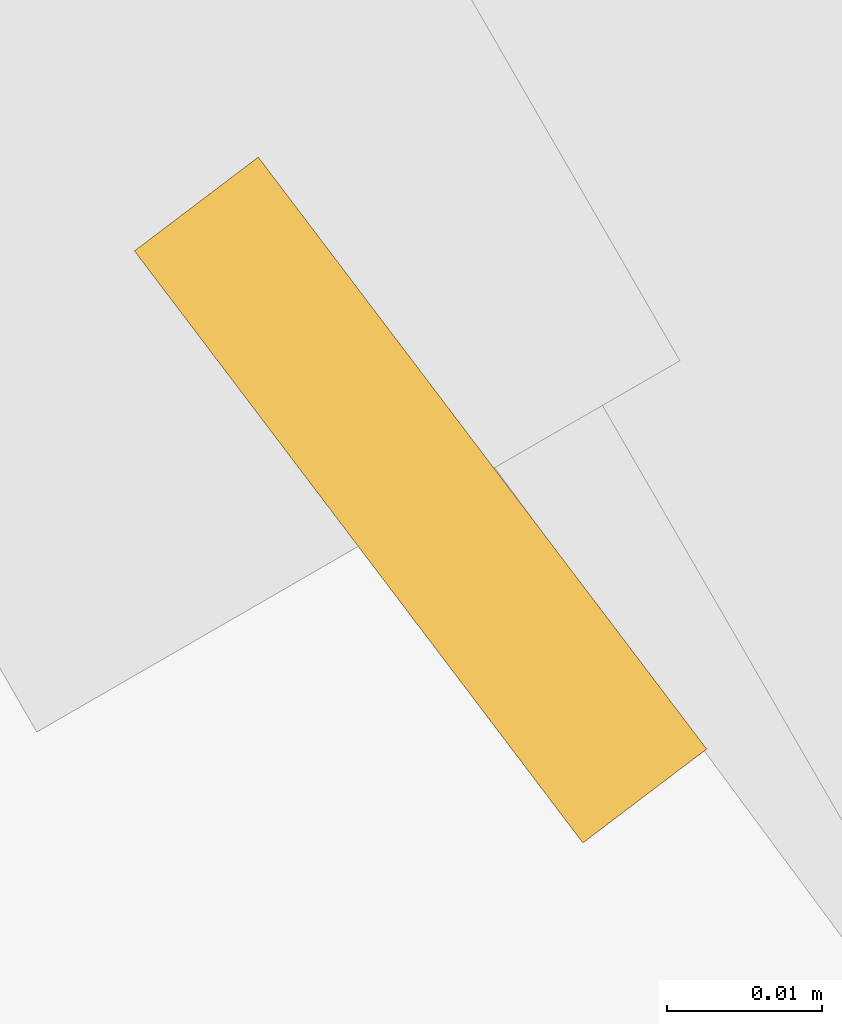
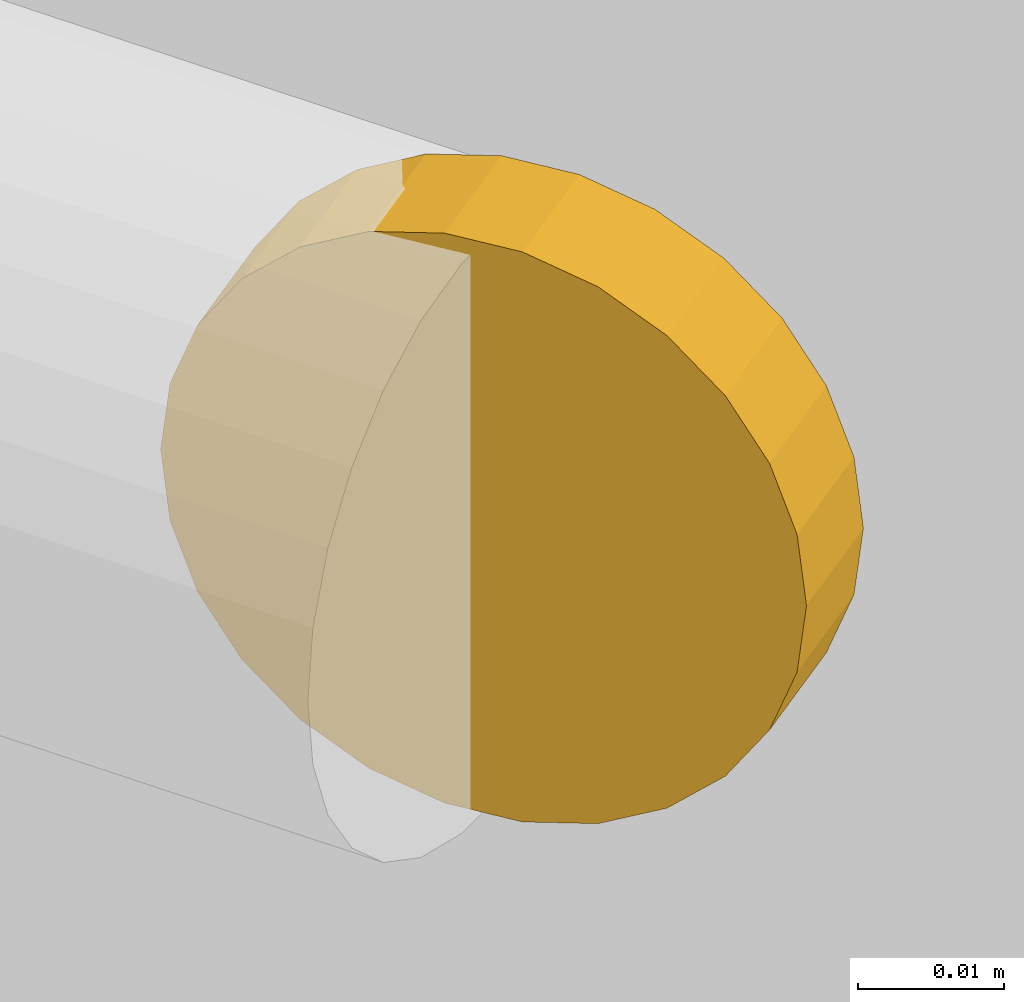
# One storey, part 30 of 32: 1 railing.
"""IFC4 building model written with IfcOpenShell, lengths in metres."""

from ifc_helpers import new_model, si_unit, direction, frame, origin, origin_2d, place, context, subcontext, project, spatial, circle, extrude, material, type_object, element, save


model = new_model("IFC4")

# Units and contexts
model_context = context("Model", 3, precision=1e-05, world=origin(), true_north=direction((0.0, 1.0)))
body_context = subcontext(model_context, "Body", "Model", "MODEL_VIEW")
ifc_project = project(units=[si_unit("LENGTHUNIT", "METRE"), si_unit("AREAUNIT", "SQUARE_METRE"), si_unit("VOLUMEUNIT", "CUBIC_METRE"), si_unit("PLANEANGLEUNIT", "RADIAN"), si_unit("MASSUNIT", "GRAM", prefix="KILO")], contexts=[model_context])

# Site, building, storey
site_placement = place(None, origin())
site = spatial("IfcSite", under=ifc_project, at=site_placement, CompositionType="ELEMENT")
building_placement = place(site_placement, origin())
building = spatial("IfcBuilding", under=site, at=building_placement, Name="Spindle Arch Residences", CompositionType="ELEMENT")
storey_placement = place(building_placement, frame((0.0, 0.0, 76.699951171875)))
storey = spatial("IfcBuildingStorey", under=building, at=storey_placement, Name="L17", CompositionType="ELEMENT", Elevation=76.699951171875)

# Railing
ifc_material = material(Name="Bronze anodised aluminium handrail", Category="aluminium")
railing_type = type_object("IfcRailingType", Name="Terrace handrail 900", PredefinedType="HANDRAIL", material=ifc_material)
railing_placement = place(storey_placement, frame((26.055419921875, -2.853515625, 0.030029296875)))
element("IfcRailing", 1, at=railing_placement, inside=storey, type_object=railing_type, Name="Terrace handrail L16 8", PredefinedType="HANDRAIL", context=body_context, shape_type="SweptSolid", body=[
    extrude(circle(Radius=0.02392578125, at=origin_2d()), frame((0.0, 0.0, 0.8759765625), z_axis=(0.797092148154, 0.603857687995, 0.0), x_axis=(-0.603857687995, 0.797092148154, 0.0)), (0.0, 0.0, 1.0), 0.010009765625),
])

save(model, "model.ifc")
